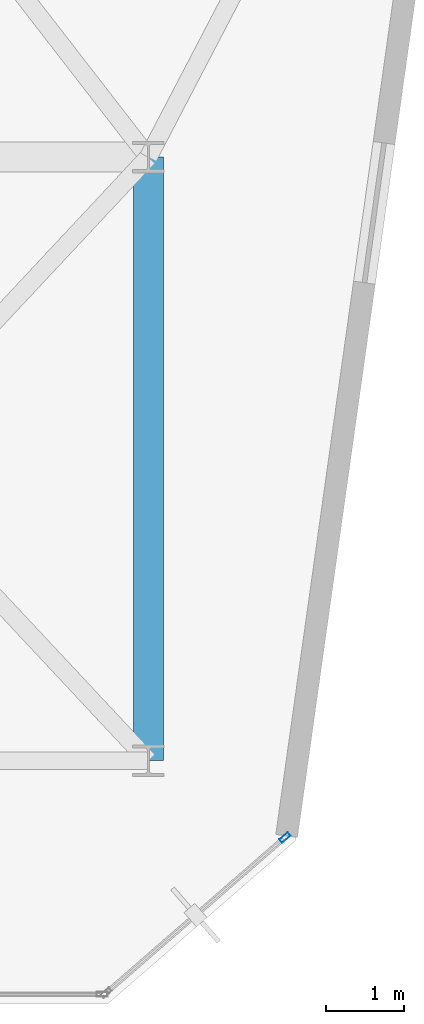
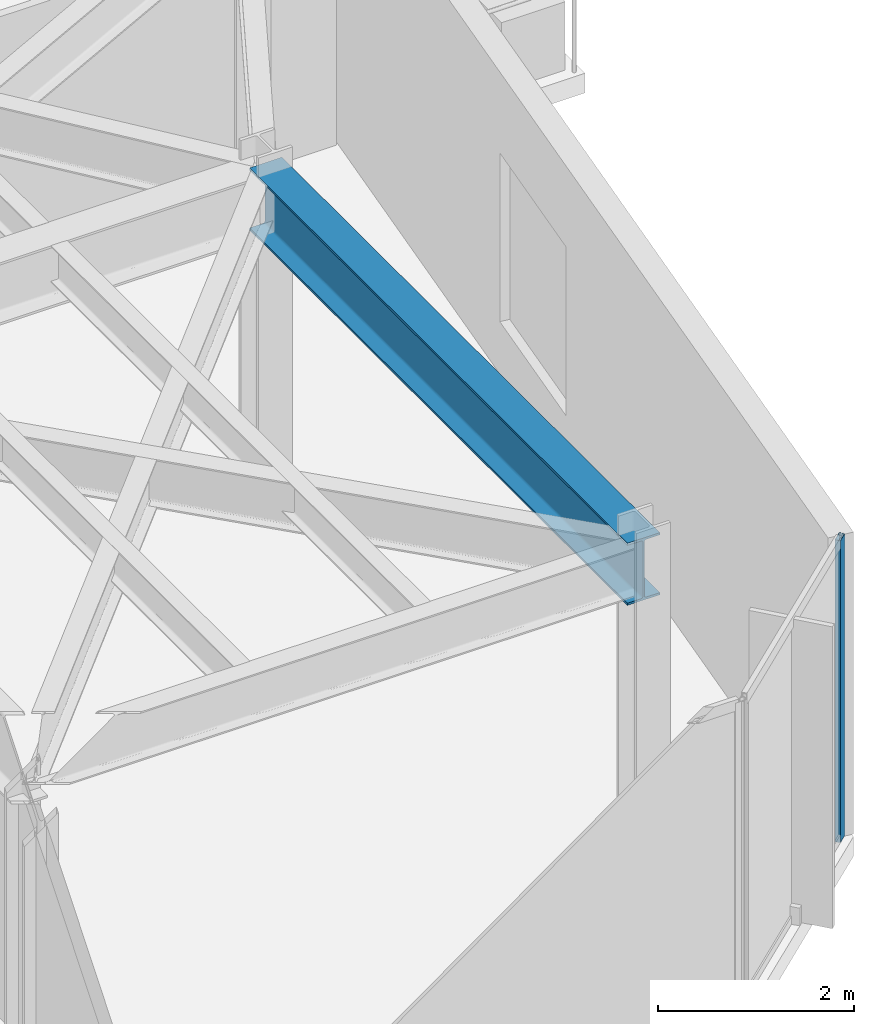
# One storey, part 20 of 26: 1 beam, 1 member, 1 element without a shape of its own.
"""IFC4 building model written with IfcOpenShell, lengths in metres."""

from ifc_helpers import new_model, si_unit, direction, frame, origin, origin_2d, place, context, subcontext, project, spatial, hollow_rectangle, i_section, extrude, material, layer, layer_set, material_profile, profile_set, type_object, element, aggregate, save


model = new_model("IFC4")

# Units and contexts
model_context = context("Model", 3, precision=1e-05, world=origin(), true_north=direction((0.0, 1.0)))
body_context = subcontext(model_context, "Body", "Model", "MODEL_VIEW")
ifc_project = project(units=[si_unit("LENGTHUNIT", "METRE"), si_unit("AREAUNIT", "SQUARE_METRE"), si_unit("VOLUMEUNIT", "CUBIC_METRE"), si_unit("PLANEANGLEUNIT", "RADIAN"), si_unit("MASSUNIT", "GRAM", prefix="KILO")], contexts=[model_context])

# Site, building, storey
site_placement = place(None, origin())
site = spatial("IfcSite", under=ifc_project, at=site_placement, CompositionType="ELEMENT")
building_placement = place(site_placement, origin())
building = spatial("IfcBuilding", under=site, at=building_placement, Name="Kravanh Interchange Tower", CompositionType="ELEMENT")
storey_placement = place(building_placement, frame((0.0, 0.0, 204.5)))
storey = spatial("IfcBuildingStorey", under=building, at=storey_placement, Name="L49", CompositionType="ELEMENT", Elevation=204.5)

# Curtain wall, member
ifc_material_1 = material(Name="Anodised Bronze Aluminium", Category="aluminium")
ifc_layer = layer(ifc_material_1, 0.179931640625)
ifc_layer_set = layer_set([ifc_layer], Name="Unitised Curtain Wall System CW-Z3 Upper Office")
curtain_wall_type = type_object("IfcCurtainWallType", Name="Unitised Curtain Wall System CW-Z3 Upper Office", PredefinedType="NOTDEFINED", material=ifc_layer_set)
curtain_wall_placement = place(storey_placement, origin())
curtain_wall = element("IfcCurtainWall", 1, at=curtain_wall_placement, inside=storey, type_object=curtain_wall_type, Name="L49 Unitised Curtain Wall CW-L49-02", PredefinedType="NOTDEFINED")
ifc_material_2 = material(Name="Anodised Bronze Aluminium", Category="aluminium")
ifc_material_profile_1 = material_profile(ifc_material_2, hollow_rectangle(XDim=0.06005859375, YDim=0.139892578125, WallThickness=0.00390625, at=origin_2d()), Name="ALU60X140X4")
ifc_profile_set_1 = profile_set([ifc_material_profile_1], Name="Anodised Bronze Aluminium")
member_type = type_object("IfcMemberType", Name="Curtain Wall Mullion ALU60X140X4 Bronze", PredefinedType="MULLION", material=ifc_profile_set_1)
member_placement = place(storey_placement, frame((64.94287109375, 13.52099609375, 0.0), z_axis=(0.0, 0.0, 1.0), x_axis=(0.65605090137, -0.754716645379, 0.0)))
member = element("IfcMember", 2, at=member_placement, type_object=member_type, Name="CW-Z3 mullion 1", PredefinedType="MULLION", context=body_context, shape_type="SweptSolid", body=[
    extrude(hollow_rectangle(XDim=0.06005859375, YDim=0.139892578125, WallThickness=0.00390625, at=origin_2d()), origin(), (0.0, 0.0, 1.0), 3.7548828125),
])
aggregate(curtain_wall, [member])

# Beam
ifc_material_3 = material(Name="Structural Steel S355", Category="steel")
ifc_material_profile_2 = material_profile(ifc_material_3, i_section(OverallWidth=0.381103515625, OverallDepth=0.77294921875, WebThickness=0.0166015625, FlangeThickness=0.027099609375, FilletRadius=0.02490234375, at=origin_2d()), Name="W30X173")
ifc_profile_set_2 = profile_set([ifc_material_profile_2], Name="Structural Steel S355")
beam_type = type_object("IfcBeamType", Name="Floor Beam W30X173 Structural Steel S355", PredefinedType="BEAM", material=ifc_profile_set_2)
beam_placement = place(storey_placement, frame((63.199951171875, 14.5, 3.368408203125), z_axis=(0.0, 1.0, 0.0), x_axis=(-1.0, 0.0, 0.0)))
element("IfcBeam", 3, at=beam_placement, inside=storey, type_object=beam_type, Name="L49 Primary Floor Girder 89", PredefinedType="BEAM", context=body_context, shape_type="SweptSolid", body=[
    extrude(i_section(OverallWidth=0.381103515625, OverallDepth=0.77294921875, WebThickness=0.0166015625, FlangeThickness=0.027099609375, FilletRadius=0.02490234375, at=origin_2d()), origin(), (0.0, 0.0, 1.0), 7.699951171875),
])

save(model, "model.ifc")
